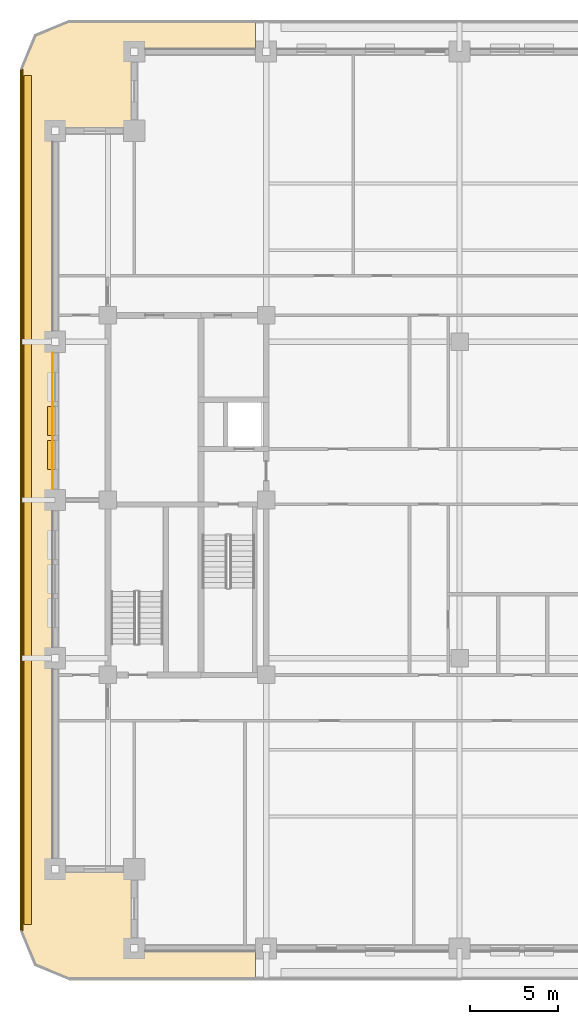
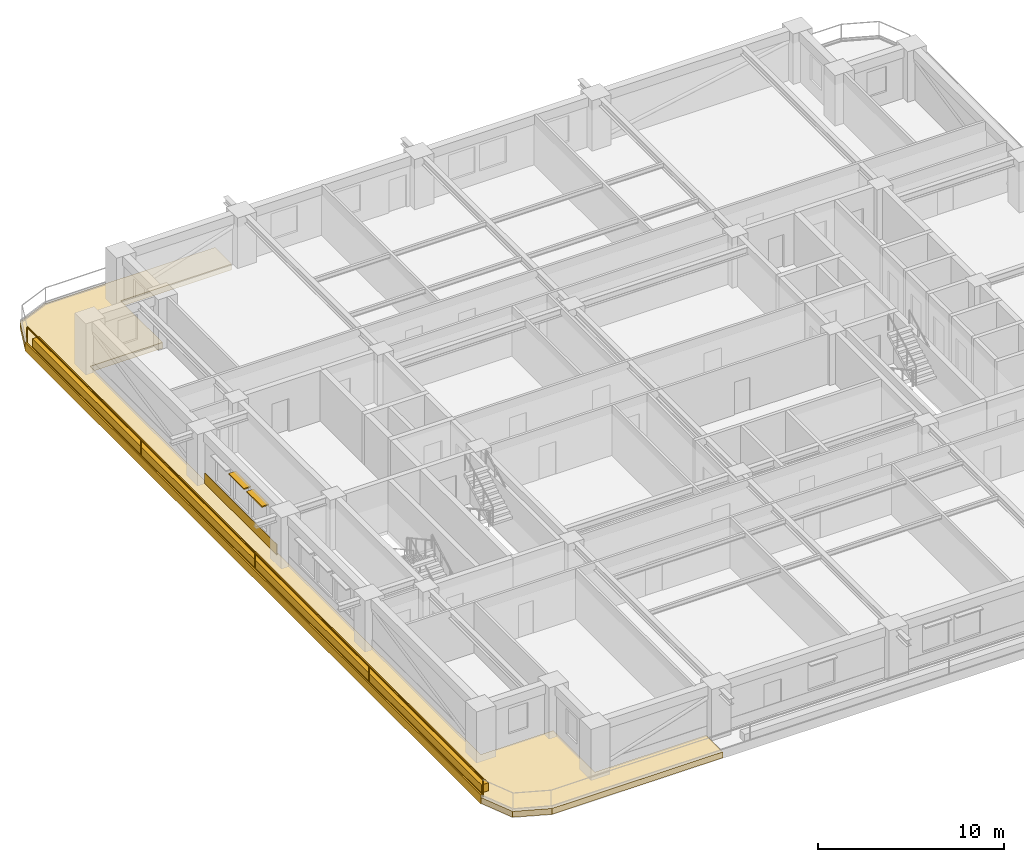
# One storey, part 9 of 13: 4 coverings, 2 shading devices, 1 railing.
"""IFC4 building model written with IfcOpenShell, lengths in metres."""

from ifc_helpers import new_model, si_unit, direction, frame, frame_2d, origin, origin_2d, place, context, subcontext, project, spatial, polyline, rectangle, outline, extrude, material, layer, layer_set, type_object, element, save


model = new_model("IFC4")

# Units and contexts
model_context = context("Model", 3, precision=1e-05, world=origin(), true_north=direction((0.0, 1.0)))
body_context = subcontext(model_context, "Body", "Model", "MODEL_VIEW")
ifc_project = project(units=[si_unit("LENGTHUNIT", "METRE"), si_unit("AREAUNIT", "SQUARE_METRE"), si_unit("VOLUMEUNIT", "CUBIC_METRE"), si_unit("PLANEANGLEUNIT", "RADIAN"), si_unit("MASSUNIT", "GRAM", prefix="KILO")], contexts=[model_context])

# Site, building, storey
site_placement = place(None, origin())
site = spatial("IfcSite", under=ifc_project, at=site_placement, CompositionType="ELEMENT")
building_placement = place(site_placement, origin())
building = spatial("IfcBuilding", under=site, at=building_placement, Name="Zulmaris Gate Convention Tower", CompositionType="ELEMENT")
storey_placement = place(building_placement, frame((0.0, 0.0, 91.35986328125)))
storey = spatial("IfcBuildingStorey", under=building, at=storey_placement, Name="L22", CompositionType="ELEMENT", Elevation=91.35986328125)

# Coverings
ifc_material_1 = material(Name="Precast concrete C40/50", Category="concrete")
ifc_layer_1 = layer(ifc_material_1, 0.0400390625, Name="Precast concrete C40/50")
ifc_layer_set_1 = layer_set([ifc_layer_1], Name="Precast concrete C40/50")
covering_type_1 = type_object("IfcCoveringType", Name="CLAD-SPANDREL-PRECAST", PredefinedType="CLADDING", material=ifc_layer_set_1)
covering_1_placement = place(storey_placement, frame((-23.14990234375, 8.3701171875, 0.0), z_axis=(0.0, 0.0, 1.0), x_axis=(0.0, -1.0, 0.0)))
element("IfcCovering", 1, at=covering_1_placement, inside=storey, type_object=covering_type_1, Name="CLD-L22-W-2_0", PredefinedType="CLADDING", context=body_context, shape_type="SweptSolid", body=[
    extrude(rectangle(XDim=7.740234375, YDim=0.0400390625, at=frame_2d((3.8701171875, 0.0))), origin(), (0.0, 0.0, 1.0), 0.679931640625),
])
ifc_material_2 = material(Name="White Glazed Architectural Precast Concrete C40/50", Category="concrete")
ifc_layer_2 = layer(ifc_material_2, 0.239990234375, Name="White Glazed Architectural Precast Concrete C40/50")
ifc_layer_set_2 = layer_set([ifc_layer_2], Name="White Glazed Architectural Precast Concrete C40/50")
covering_type_2 = type_object("IfcCoveringType", Name="CLAD-TRAY-DECK", PredefinedType="CLADDING", material=ifc_layer_set_2)
covering_2_placement = place(storey_placement, frame((0.0, 0.0, -0.425048828125)))
element("IfcCovering", 2, at=covering_2_placement, inside=storey, type_object=covering_type_2, Name="L22 West Rounded-Fascia Planter Tray Deck", PredefinedType="CLADDING", context=body_context, shape_type="SweptSolid", body=[
    extrude(outline(polyline([(-25.0, 24.5), (-24.179931640625, 26.47998046875), (-22.199951171875, 27.300048828125), (-11.60205078125, 27.300048828125), (-11.60205078125, 25.5), (-18.5, 25.5), (-18.5, 21.0), (-23.0, 21.0), (-23.0, -21.0), (-18.5, -21.0), (-18.5, -25.5), (-11.60205078125, -25.5), (-11.60205078125, -27.300048828125), (-22.199951171875, -27.300048828125), (-24.179931640625, -26.47998046875), (-25.0, -24.5), (-25.0, 24.5)])), origin(), (0.0, 0.0, 1.0), 0.385009765625),
])
ifc_layer_3 = layer(ifc_material_2, 0.080078125, Name="White Glazed Architectural Precast Concrete C40/50")
ifc_layer_set_3 = layer_set([ifc_layer_3], Name="White Glazed Architectural Precast Concrete C40/50")
covering_type_3 = type_object("IfcCoveringType", Name="CLAD-TRAY-FASCIA", PredefinedType="CLADDING", material=ifc_layer_set_3)
covering_3_placement = place(storey_placement, frame((-24.9599609375, 24.5, -0.46484375), z_axis=(0.0, 0.0, 1.0), x_axis=(0.0, -1.0, 0.0)))
element("IfcCovering", 3, at=covering_3_placement, inside=storey, type_object=covering_type_3, Name="FSC-L22-TR-11", PredefinedType="CLADDING", context=body_context, shape_type="SweptSolid", body=[
    extrude(rectangle(XDim=49.0, YDim=0.080078125, at=frame_2d((24.5, 0.0))), origin(), (0.0, 0.0, 1.0), 0.5849609375),
])
ifc_material_3 = material(Name="Botanical Green Glazed Precast Concrete C40/50", Category="concrete")
ifc_layer_4 = layer(ifc_material_3, 0.419921875, Name="Botanical Green Glazed Precast Concrete C40/50")
ifc_layer_set_4 = layer_set([ifc_layer_4], Name="Botanical Green Glazed Precast Concrete C40/50")
covering_type_4 = type_object("IfcCoveringType", Name="PLANTER-BOX-200", PredefinedType="CLADDING", material=ifc_layer_set_4)
covering_4_placement = place(storey_placement, frame((0.0, 0.0, -0.0400390625)))
element("IfcCovering", 4, at=covering_4_placement, inside=storey, type_object=covering_type_4, Name="L22 W Full-Length Balcony Tree Planter Trough", PredefinedType="CLADDING", context=body_context, shape_type="SweptSolid", body=[
    extrude(outline(polyline([(-24.760009765625, -24.14990234375), (-24.340087890625, -24.14990234375), (-24.340087890625, 24.14990234375), (-24.760009765625, 24.14990234375), (-24.760009765625, -24.14990234375)])), origin(), (0.0, 0.0, 1.0), 0.52001953125),
])

# Railing
ifc_material_4 = material(Name="Laminated Glass and Stainless Steel", Category="steel")
railing_type = type_object("IfcRailingType", Name="RL-BALC-1150", PredefinedType="BALUSTRADE", material=ifc_material_4)
railing_placement = place(storey_placement, frame((-24.8798828125, 24.5, -0.0400390625)))
element("IfcRailing", 5, at=railing_placement, inside=storey, type_object=railing_type, Name="RL-L22-BALC-W", PredefinedType="BALUSTRADE", context=body_context, shape_type="SweptSolid", body=[
    extrude(rectangle(XDim=0.048095703125, YDim=0.048095703125, at=origin_2d()), frame((0.0, 0.0, 1.1259765625), z_axis=(0.0, -1.0, 0.0), x_axis=(1.0, 0.0, 0.0)), (0.0, 0.0, 1.0), 49.0),
    extrude(rectangle(XDim=0.048095703125, YDim=0.048095703125, at=origin_2d()), frame((0.0, 0.0, 0.02392578125), z_axis=(0.0, -1.0, 0.0), x_axis=(1.0, 0.0, 0.0)), (0.0, 0.0, 1.0), 49.0),
    extrude(rectangle(XDim=0.0419921875, YDim=0.0419921875, at=origin_2d()), origin(), (0.0, 0.0, 1.0), 1.101806640625),
    extrude(rectangle(XDim=0.0419921875, YDim=0.0419921875, at=origin_2d()), frame((0.0, -12.25, 0.0)), (0.0, 0.0, 1.0), 1.101806640625),
    extrude(rectangle(XDim=0.0419921875, YDim=0.0419921875, at=origin_2d()), frame((0.0, -24.5, 0.0)), (0.0, 0.0, 1.0), 1.101806640625),
    extrude(rectangle(XDim=0.0419921875, YDim=0.0419921875, at=origin_2d()), frame((0.0, -36.75, 0.0)), (0.0, 0.0, 1.0), 1.101806640625),
    extrude(rectangle(XDim=0.0419921875, YDim=0.0419921875, at=origin_2d()), frame((0.0, -49.0, 0.0)), (0.0, 0.0, 1.0), 1.101806640625),
])

# Shading devices
ifc_material_5 = material(Name="Glazed Ceramic Terracotta", Category="masonry")
ifc_layer_5 = layer(ifc_material_5, 0.070068359375, Name="Glazed Ceramic Terracotta")
ifc_layer_set_5 = layer_set([ifc_layer_5], Name="Glazed Ceramic Terracotta")
shading_device_type = type_object("IfcShadingDeviceType", Name="SHD-SUNSHADE-TC", PredefinedType="AWNING", material=ifc_layer_set_5)
for number, where, z_axis, x_axis, name in (
    (6, (-23.219970703125, 5.324951171875, 2.530029296875), (0.0, 0.0, 1.0), (0.0, -1.0, 0.0), "SHD-EW-L22-W-2_0-2"),
    (7, (-23.219970703125, 3.389892578125, 2.530029296875), (0.0, 0.0, 1.0), (0.0, -1.0, 0.0), "SHD-EW-L22-W-2_0-3"),
):
    element("IfcShadingDevice", number, at=place(storey_placement, frame(where, z_axis=z_axis, x_axis=x_axis)), inside=storey, type_object=shading_device_type, Name=name, PredefinedType="AWNING", context=body_context, shape_type="SweptSolid", body=[
        extrude(rectangle(XDim=1.64990234375, YDim=0.43994140625, at=frame_2d((0.824951171875, 0.0))), origin(), (0.0, 0.0, 1.0), 0.070068359375),
    ])

save(model, "model.ifc")
